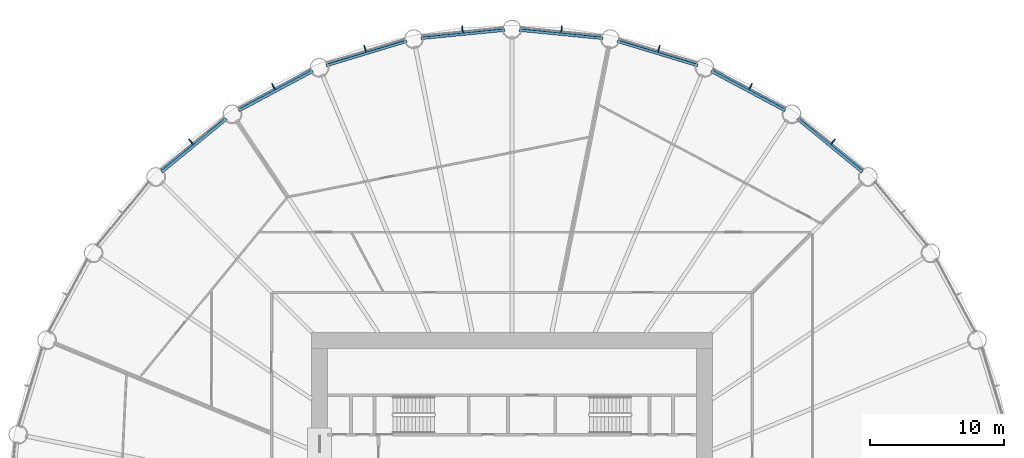
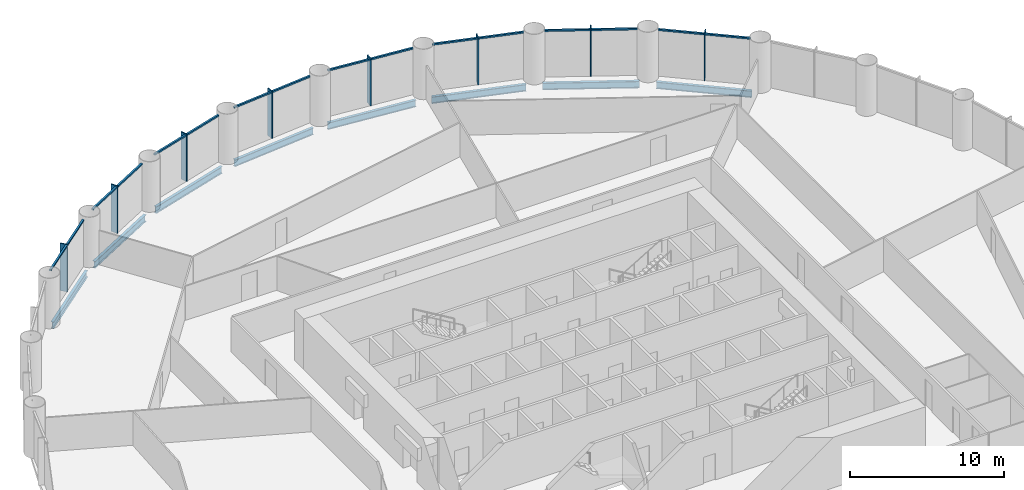
# One storey, part 7 of 15: 24 members, 8 beams, 8 elements without a shape of their own.
"""IFC4 building model written with IfcOpenShell, lengths in metres."""

from ifc_helpers import new_model, si_unit, direction, frame, origin, origin_2d, place, context, subcontext, project, spatial, rectangle, i_section, extrude, material, material_profile, profile_set, type_object, element, aggregate, save


model = new_model("IFC4")

# Units and contexts
model_context = context("Model", 3, precision=1e-05, world=origin(), true_north=direction((0.0, 1.0)))
body_context = subcontext(model_context, "Body", "Model", "MODEL_VIEW")
ifc_project = project(units=[si_unit("LENGTHUNIT", "METRE"), si_unit("AREAUNIT", "SQUARE_METRE"), si_unit("VOLUMEUNIT", "CUBIC_METRE"), si_unit("PLANEANGLEUNIT", "RADIAN"), si_unit("MASSUNIT", "GRAM", prefix="KILO")], contexts=[model_context])

# Site, building, storey
site_placement = place(None, origin())
site = spatial("IfcSite", under=ifc_project, at=site_placement, CompositionType="ELEMENT")
building_placement = place(site_placement, origin())
building = spatial("IfcBuilding", under=site, at=building_placement, Name="Corvane Civic Tower", CompositionType="ELEMENT")
storey_placement = place(building_placement, frame((0.0, 0.0, 73.0)))
storey = spatial("IfcBuildingStorey", under=building, at=storey_placement, Name="L16", CompositionType="ELEMENT", Elevation=73.0)

# Beams
ifc_material_1 = material(Name="Steel ASTM A992 Gr 50", Category="steel")
ifc_material_profile_1 = material_profile(ifc_material_1, i_section(OverallWidth=0.209228515625, OverallDepth=0.533447265625, WebThickness=0.01025390625, FlangeThickness=0.015625, at=origin_2d()), Name="W21X62")
ifc_profile_set_1 = profile_set([ifc_material_profile_1], Name="Steel ASTM A992 Gr 50")
beam_type = type_object("IfcBeamType", Name="EDGE BEAM W21X62", PredefinedType="BEAM", material=ifc_profile_set_1)
beam_1_placement = place(storey_placement, frame((0.54736328125, 37.64599609375, -0.566650390625), z_axis=(0.995186682089, -0.097997284622, 0.0), x_axis=(0.097997284622, 0.995186682089, 0.0)))
element("IfcBeam", 1, at=beam_1_placement, inside=storey, type_object=beam_type, Name="BM-L16-E01", PredefinedType="BEAM", context=body_context, shape_type="SweptSolid", body=[
    extrude(i_section(OverallWidth=0.209228515625, OverallDepth=0.533447265625, WebThickness=0.01025390625, FlangeThickness=0.015625, at=origin_2d()), origin(), (0.0, 0.0, 1.0), 6.29052734375),
])
for number, where, z_axis, x_axis, name in (
    (2, (7.88134765625, 36.81591796875, -0.566650390625), (0.956943740748, -0.290273452184, 0.0), (0.290273452184, 0.956943740748, 0.0), "BM-L16-E02"),
    (3, (14.912353515625, 34.571044921875, -0.566650390625), (0.881916367906, -0.471405897311, 0.0), (0.471405897311, 0.881916367906, 0.0), "BM-L16-E03"),
):
    element("IfcBeam", number, at=place(storey_placement, frame(where, z_axis=z_axis, x_axis=x_axis)), inside=storey, type_object=beam_type, Name=name, PredefinedType="BEAM", context=body_context, shape_type="SweptSolid", body=[
        extrude(i_section(OverallWidth=0.209228515625, OverallDepth=0.533447265625, WebThickness=0.01025390625, FlangeThickness=0.015625, at=origin_2d()), origin(), (0.0, 0.0, 1.0), 6.290283203125),
    ])
for number, where, z_axis, x_axis, name in (
    (4, (21.3701171875, 30.99755859375, -0.566650390625), (0.773015785286, -0.634386787141, 0.0), (0.634386787141, 0.773015785286, 0.0), "BM-L16-E04"),
    (5, (-26.23291015625, 27.0068359375, -0.566650390625), (0.773015785286, 0.634386787141, 0.0), (-0.634386787141, 0.773015785286, 0.0), "BM-L16-E29"),
):
    element("IfcBeam", number, at=place(storey_placement, frame(where, z_axis=z_axis, x_axis=x_axis)), inside=storey, type_object=beam_type, Name=name, PredefinedType="BEAM", context=body_context, shape_type="SweptSolid", body=[
        extrude(i_section(OverallWidth=0.209228515625, OverallDepth=0.533447265625, WebThickness=0.01025390625, FlangeThickness=0.015625, at=origin_2d()), origin(), (0.0, 0.0, 1.0), 6.290771484375),
    ])
for number, where, z_axis, x_axis, name in (
    (6, (-20.4599609375, 31.605712890625, -0.566650390625), (0.881916367906, 0.471405897311, 0.0), (-0.471405897311, 0.881916367906, 0.0), "BM-L16-E30"),
    (7, (-13.90087890625, 34.989990234375, -0.566650390625), (0.956943740748, 0.290273452184, 0.0), (-0.290273452184, 0.956943740748, 0.0), "BM-L16-E31"),
):
    element("IfcBeam", number, at=place(storey_placement, frame(where, z_axis=z_axis, x_axis=x_axis)), inside=storey, type_object=beam_type, Name=name, PredefinedType="BEAM", context=body_context, shape_type="SweptSolid", body=[
        extrude(i_section(OverallWidth=0.209228515625, OverallDepth=0.533447265625, WebThickness=0.01025390625, FlangeThickness=0.015625, at=origin_2d()), origin(), (0.0, 0.0, 1.0), 6.290283203125),
    ])
beam_2_placement = place(storey_placement, frame((-6.8076171875, 37.029541015625, -0.566650390625), z_axis=(0.995186682089, 0.097997284622, 0.0), x_axis=(-0.097997284622, 0.995186682089, 0.0)))
element("IfcBeam", 8, at=beam_2_placement, inside=storey, type_object=beam_type, Name="BM-L16-E32", PredefinedType="BEAM", context=body_context, shape_type="SweptSolid", body=[
    extrude(i_section(OverallWidth=0.209228515625, OverallDepth=0.533447265625, WebThickness=0.01025390625, FlangeThickness=0.015625, at=origin_2d()), origin(), (0.0, 0.0, 1.0), 6.29052734375),
])

# Curtain wall, members
ifc_material_2 = material(Name="Anodised aluminium bronze", Category="aluminium")
curtain_wall_type = type_object("IfcCurtainWallType", Name="TOWER CW-T1 STICK CURTAIN WALL", PredefinedType="NOTDEFINED", material=ifc_material_2)
curtain_wall_1_placement = place(storey_placement, origin())
curtain_wall_1 = element("IfcCurtainWall", 9, at=curtain_wall_1_placement, inside=storey, type_object=curtain_wall_type, Name="Curtain wall CW-T1 L16 bay 01", PredefinedType="NOTDEFINED")
ifc_material_3 = material(Name="Anodised aluminium bronze", Category="aluminium")
ifc_material_profile_2 = material_profile(ifc_material_3, rectangle(XDim=0.139892578125, YDim=0.1201171875, at=origin_2d()), Name="TOWER CW-T1 TRANSOM 140x120")
ifc_profile_set_2 = profile_set([ifc_material_profile_2], Name="Anodised aluminium bronze")
member_type_1 = type_object("IfcMemberType", Name="TOWER CW-T1 TRANSOM 140x120", PredefinedType="USERDEFINED", material=ifc_profile_set_2)
member_1_placement = place(storey_placement, frame((0.6611328125, 37.814697265625, 3.68994140625), z_axis=(0.995191836722, -0.097944923917, 0.0), x_axis=(0.097944923917, 0.995191836722, 0.0)))
member_1 = element("IfcMember", 10, at=member_1_placement, type_object=member_type_1, Name="Transom CW-T1 L16 01.1", ObjectType="TRANSOM", PredefinedType="USERDEFINED", context=body_context, shape_type="SweptSolid", body=[
    extrude(rectangle(XDim=0.139892578125, YDim=0.1201171875, at=origin_2d()), origin(), (0.0, 0.0, 1.0), 3.008544921875),
])
member_2_placement = place(storey_placement, frame((3.73486328125, 37.511962890625, 3.68994140625), z_axis=(0.995191836722, -0.097944923917, 0.0), x_axis=(0.097944923917, 0.995191836722, 0.0)))
member_2 = element("IfcMember", 11, at=member_2_placement, type_object=member_type_1, Name="Transom CW-T1 L16 01.2", ObjectType="TRANSOM", PredefinedType="USERDEFINED", context=body_context, shape_type="SweptSolid", body=[
    extrude(rectangle(XDim=0.139892578125, YDim=0.1201171875, at=origin_2d()), origin(), (0.0, 0.0, 1.0), 3.008544921875),
])

curtain_wall_2_placement = place(storey_placement, origin())
curtain_wall_2 = element("IfcCurtainWall", 12, at=curtain_wall_2_placement, inside=storey, type_object=curtain_wall_type, Name="Curtain wall CW-T1 L16 bay 02", PredefinedType="NOTDEFINED")
member_3_placement = place(storey_placement, frame((8.02587890625, 36.959228515625, 3.68994140625), z_axis=(0.956941780555, -0.290279914268, 0.0), x_axis=(0.290279914268, 0.956941780555, 0.0)))
member_3 = element("IfcMember", 13, at=member_3_placement, type_object=member_type_1, Name="Transom CW-T1 L16 02.1", ObjectType="TRANSOM", PredefinedType="USERDEFINED", context=body_context, shape_type="SweptSolid", body=[
    extrude(rectangle(XDim=0.139892578125, YDim=0.1201171875, at=origin_2d()), origin(), (0.0, 0.0, 1.0), 3.008544921875),
])
member_4_placement = place(storey_placement, frame((10.9814453125, 36.062744140625, 3.68994140625), z_axis=(0.956941780555, -0.290279914268, 0.0), x_axis=(0.290279914268, 0.956941780555, 0.0)))
member_4 = element("IfcMember", 14, at=member_4_placement, type_object=member_type_1, Name="Transom CW-T1 L16 02.2", ObjectType="TRANSOM", PredefinedType="USERDEFINED", context=body_context, shape_type="SweptSolid", body=[
    extrude(rectangle(XDim=0.139892578125, YDim=0.1201171875, at=origin_2d()), origin(), (0.0, 0.0, 1.0), 3.008544921875),
])

curtain_wall_3_placement = place(storey_placement, origin())
curtain_wall_3 = element("IfcCurtainWall", 15, at=curtain_wall_3_placement, inside=storey, type_object=curtain_wall_type, Name="Curtain wall CW-T1 L16 bay 03", PredefinedType="NOTDEFINED")
member_5_placement = place(storey_placement, frame((15.08203125, 34.683349609375, 3.68994140625), z_axis=(0.881923525532, -0.471392506424, 0.0), x_axis=(0.471392506424, 0.881923525532, 0.0)))
member_5 = element("IfcMember", 16, at=member_5_placement, type_object=member_type_1, Name="Transom CW-T1 L16 03.1", ObjectType="TRANSOM", PredefinedType="USERDEFINED", context=body_context, shape_type="SweptSolid", body=[
    extrude(rectangle(XDim=0.139892578125, YDim=0.1201171875, at=origin_2d()), origin(), (0.0, 0.0, 1.0), 3.008544921875),
])
member_6_placement = place(storey_placement, frame((17.805908203125, 33.2275390625, 3.68994140625), z_axis=(0.881923525532, -0.471392506424, 0.0), x_axis=(0.471392506424, 0.881923525532, 0.0)))
member_6 = element("IfcMember", 17, at=member_6_placement, type_object=member_type_1, Name="Transom CW-T1 L16 03.2", ObjectType="TRANSOM", PredefinedType="USERDEFINED", context=body_context, shape_type="SweptSolid", body=[
    extrude(rectangle(XDim=0.139892578125, YDim=0.1201171875, at=origin_2d()), origin(), (0.0, 0.0, 1.0), 3.008544921875),
])

curtain_wall_4_placement = place(storey_placement, origin())
curtain_wall_4 = element("IfcCurtainWall", 18, at=curtain_wall_4_placement, inside=storey, type_object=curtain_wall_type, Name="Curtain wall CW-T1 L16 bay 04", PredefinedType="NOTDEFINED")
member_7_placement = place(storey_placement, frame((21.55859375, 31.074462890625, 3.68994140625), z_axis=(0.773041738279, -0.634355161466, 0.0), x_axis=(0.634355161466, 0.773041738279, 0.0)))
member_7 = element("IfcMember", 19, at=member_7_placement, type_object=member_type_1, Name="Transom CW-T1 L16 04.1", ObjectType="TRANSOM", PredefinedType="USERDEFINED", context=body_context, shape_type="SweptSolid", body=[
    extrude(rectangle(XDim=0.139892578125, YDim=0.1201171875, at=origin_2d()), origin(), (0.0, 0.0, 1.0), 3.008544921875),
])
member_8_placement = place(storey_placement, frame((23.946044921875, 29.115234375, 3.68994140625), z_axis=(0.773001943873, -0.634403652865, 0.0), x_axis=(0.634403652865, 0.773001943873, 0.0)))
member_8 = element("IfcMember", 20, at=member_8_placement, type_object=member_type_1, Name="Transom CW-T1 L16 04.2", ObjectType="TRANSOM", PredefinedType="USERDEFINED", context=body_context, shape_type="SweptSolid", body=[
    extrude(rectangle(XDim=0.139892578125, YDim=0.1201171875, at=origin_2d()), origin(), (0.0, 0.0, 1.0), 3.008544921875),
])

curtain_wall_5_placement = place(storey_placement, origin())
curtain_wall_5 = element("IfcCurtainWall", 21, at=curtain_wall_5_placement, inside=storey, type_object=curtain_wall_type, Name="Curtain wall CW-T1 L16 bay 29", PredefinedType="NOTDEFINED")
member_9_placement = place(storey_placement, frame((-26.271728515625, 27.20654296875, 3.68994140625), z_axis=(0.773001943873, 0.634403652865, 0.0), x_axis=(-0.634403652865, 0.773001943873, 0.0)))
member_9 = element("IfcMember", 22, at=member_9_placement, type_object=member_type_1, Name="Transom CW-T1 L16 29.1", ObjectType="TRANSOM", PredefinedType="USERDEFINED", context=body_context, shape_type="SweptSolid", body=[
    extrude(rectangle(XDim=0.139892578125, YDim=0.1201171875, at=origin_2d()), origin(), (0.0, 0.0, 1.0), 3.008544921875),
])
member_10_placement = place(storey_placement, frame((-23.88427734375, 29.166015625, 3.68994140625), z_axis=(0.773041738279, 0.634355161466, 0.0), x_axis=(-0.634355161466, 0.773041738279, 0.0)))
member_10 = element("IfcMember", 23, at=member_10_placement, type_object=member_type_1, Name="Transom CW-T1 L16 29.2", ObjectType="TRANSOM", PredefinedType="USERDEFINED", context=body_context, shape_type="SweptSolid", body=[
    extrude(rectangle(XDim=0.139892578125, YDim=0.1201171875, at=origin_2d()), origin(), (0.0, 0.0, 1.0), 3.008544921875),
])

curtain_wall_6_placement = place(storey_placement, origin())
curtain_wall_6 = element("IfcCurtainWall", 24, at=curtain_wall_6_placement, inside=storey, type_object=curtain_wall_type, Name="Curtain wall CW-T1 L16 bay 30", PredefinedType="NOTDEFINED")
member_11_placement = place(storey_placement, frame((-20.459228515625, 31.809326171875, 3.68994140625), z_axis=(0.881923525532, 0.471392506424, 0.0), x_axis=(-0.471392506424, 0.881923525532, 0.0)))
member_11 = element("IfcMember", 25, at=member_11_placement, type_object=member_type_1, Name="Transom CW-T1 L16 30.1", ObjectType="TRANSOM", PredefinedType="USERDEFINED", context=body_context, shape_type="SweptSolid", body=[
    extrude(rectangle(XDim=0.139892578125, YDim=0.1201171875, at=origin_2d()), origin(), (0.0, 0.0, 1.0), 3.008544921875),
])
member_12_placement = place(storey_placement, frame((-17.7353515625, 33.26513671875, 3.68994140625), z_axis=(0.881923525532, 0.471392506424, 0.0), x_axis=(-0.471392506424, 0.881923525532, 0.0)))
member_12 = element("IfcMember", 26, at=member_12_placement, type_object=member_type_1, Name="Transom CW-T1 L16 30.2", ObjectType="TRANSOM", PredefinedType="USERDEFINED", context=body_context, shape_type="SweptSolid", body=[
    extrude(rectangle(XDim=0.139892578125, YDim=0.1201171875, at=origin_2d()), origin(), (0.0, 0.0, 1.0), 3.008544921875),
])

curtain_wall_7_placement = place(storey_placement, origin())
curtain_wall_7 = element("IfcCurtainWall", 27, at=curtain_wall_7_placement, inside=storey, type_object=curtain_wall_type, Name="Curtain wall CW-T1 L16 bay 31", PredefinedType="NOTDEFINED")
member_13_placement = place(storey_placement, frame((-13.8603515625, 35.189453125, 3.68994140625), z_axis=(0.956941780555, 0.290279914268, 0.0), x_axis=(-0.290279914268, 0.956941780555, 0.0)))
member_13 = element("IfcMember", 28, at=member_13_placement, type_object=member_type_1, Name="Transom CW-T1 L16 31.1", ObjectType="TRANSOM", PredefinedType="USERDEFINED", context=body_context, shape_type="SweptSolid", body=[
    extrude(rectangle(XDim=0.139892578125, YDim=0.1201171875, at=origin_2d()), origin(), (0.0, 0.0, 1.0), 3.008544921875),
])
member_14_placement = place(storey_placement, frame((-10.90478515625, 36.0859375, 3.68994140625), z_axis=(0.956941780555, 0.290279914268, 0.0), x_axis=(-0.290279914268, 0.956941780555, 0.0)))
member_14 = element("IfcMember", 29, at=member_14_placement, type_object=member_type_1, Name="Transom CW-T1 L16 31.2", ObjectType="TRANSOM", PredefinedType="USERDEFINED", context=body_context, shape_type="SweptSolid", body=[
    extrude(rectangle(XDim=0.139892578125, YDim=0.1201171875, at=origin_2d()), origin(), (0.0, 0.0, 1.0), 3.008544921875),
])

curtain_wall_8_placement = place(storey_placement, origin())
curtain_wall_8 = element("IfcCurtainWall", 30, at=curtain_wall_8_placement, inside=storey, type_object=curtain_wall_type, Name="Curtain wall CW-T1 L16 bay 32", PredefinedType="NOTDEFINED")
member_15_placement = place(storey_placement, frame((-6.72900390625, 37.21728515625, 3.68994140625), z_axis=(0.995191836722, 0.097944923917, 0.0), x_axis=(-0.097944923917, 0.995191836722, 0.0)))
member_15 = element("IfcMember", 31, at=member_15_placement, type_object=member_type_1, Name="Transom CW-T1 L16 32.1", ObjectType="TRANSOM", PredefinedType="USERDEFINED", context=body_context, shape_type="SweptSolid", body=[
    extrude(rectangle(XDim=0.139892578125, YDim=0.1201171875, at=origin_2d()), origin(), (0.0, 0.0, 1.0), 3.008544921875),
])
member_16_placement = place(storey_placement, frame((-3.6552734375, 37.52001953125, 3.68994140625), z_axis=(0.995191836722, 0.097944923917, 0.0), x_axis=(-0.097944923917, 0.995191836722, 0.0)))
member_16 = element("IfcMember", 32, at=member_16_placement, type_object=member_type_1, Name="Transom CW-T1 L16 32.2", ObjectType="TRANSOM", PredefinedType="USERDEFINED", context=body_context, shape_type="SweptSolid", body=[
    extrude(rectangle(XDim=0.139892578125, YDim=0.1201171875, at=origin_2d()), origin(), (0.0, 0.0, 1.0), 3.008544921875),
])

# Member
ifc_material_4 = material(Name="Anodised aluminium bronze", Category="aluminium")
ifc_material_profile_3 = material_profile(ifc_material_4, rectangle(XDim=0.080078125, YDim=0.5, at=origin_2d()), Name="TOWER FIN MULLION 80x500 BRONZE")
ifc_profile_set_3 = profile_set([ifc_material_profile_3], Name="Anodised aluminium bronze")
member_type_2 = type_object("IfcMemberType", Name="TOWER FIN MULLION 80x500 BRONZE", PredefinedType="MULLION", material=ifc_profile_set_3)
member_17_placement = place(storey_placement, frame((3.714599609375, 37.715087890625, 0.0), z_axis=(0.0, 0.0, 1.0), x_axis=(0.995185800248, -0.098006239521, 0.0)))
member_17 = element("IfcMember", 33, at=member_17_placement, type_object=member_type_2, Name="Fin mullion 01 L16", PredefinedType="MULLION", context=body_context, shape_type="SweptSolid", body=[
    extrude(rectangle(XDim=0.080078125, YDim=0.5, at=origin_2d()), origin(), (0.0, 0.0, 1.0), 3.75),
])

aggregate(curtain_wall_1, [member_17, member_1, member_2])

member_18_placement = place(storey_placement, frame((11.001220703125, 36.265625, 0.0), z_axis=(0.0, 0.0, 1.0), x_axis=(0.956942240606, -0.290278397654, 0.0)))
member_18 = element("IfcMember", 34, at=member_18_placement, type_object=member_type_2, Name="Fin mullion 02 L16", PredefinedType="MULLION", context=body_context, shape_type="SweptSolid", body=[
    extrude(rectangle(XDim=0.080078125, YDim=0.5, at=origin_2d()), origin(), (0.0, 0.0, 1.0), 3.75),
])

aggregate(curtain_wall_2, [member_18, member_3, member_4])

member_19_placement = place(storey_placement, frame((17.86474609375, 33.422607421875, 0.0), z_axis=(0.0, 0.0, 1.0), x_axis=(0.881917528864, -0.471403725359, 0.0)))
member_19 = element("IfcMember", 35, at=member_19_placement, type_object=member_type_2, Name="Fin mullion 03 L16", PredefinedType="MULLION", context=body_context, shape_type="SweptSolid", body=[
    extrude(rectangle(XDim=0.080078125, YDim=0.5, at=origin_2d()), origin(), (0.0, 0.0, 1.0), 3.75),
])

aggregate(curtain_wall_3, [member_19, member_5, member_6])

member_20_placement = place(storey_placement, frame((24.0419921875, 29.295166015625, 0.0), z_axis=(0.0, 0.0, 1.0), x_axis=(0.773007224463, -0.634397218569, 0.0)))
member_20 = element("IfcMember", 36, at=member_20_placement, type_object=member_type_2, Name="Fin mullion 04 L16", PredefinedType="MULLION", context=body_context, shape_type="SweptSolid", body=[
    extrude(rectangle(XDim=0.080078125, YDim=0.5, at=origin_2d()), origin(), (0.0, 0.0, 1.0), 3.75),
])

aggregate(curtain_wall_4, [member_20, member_7, member_8])

member_21_placement = place(storey_placement, frame((-24.0419921875, 29.295166015625, 0.0), z_axis=(0.0, 0.0, 1.0), x_axis=(0.773007224463, 0.634397218569, 0.0)))
member_21 = element("IfcMember", 37, at=member_21_placement, type_object=member_type_2, Name="Fin mullion 29 L16", PredefinedType="MULLION", context=body_context, shape_type="SweptSolid", body=[
    extrude(rectangle(XDim=0.080078125, YDim=0.5, at=origin_2d()), origin(), (0.0, 0.0, 1.0), 3.75),
])

aggregate(curtain_wall_5, [member_21, member_9, member_10])

member_22_placement = place(storey_placement, frame((-17.86474609375, 33.422607421875, 0.0), z_axis=(0.0, 0.0, 1.0), x_axis=(0.881917528864, 0.471403725359, 0.0)))
member_22 = element("IfcMember", 38, at=member_22_placement, type_object=member_type_2, Name="Fin mullion 30 L16", PredefinedType="MULLION", context=body_context, shape_type="SweptSolid", body=[
    extrude(rectangle(XDim=0.080078125, YDim=0.5, at=origin_2d()), origin(), (0.0, 0.0, 1.0), 3.75),
])

aggregate(curtain_wall_6, [member_22, member_11, member_12])

member_23_placement = place(storey_placement, frame((-11.001220703125, 36.265625, 0.0), z_axis=(0.0, 0.0, 1.0), x_axis=(0.956942240606, 0.290278397654, 0.0)))
member_23 = element("IfcMember", 39, at=member_23_placement, type_object=member_type_2, Name="Fin mullion 31 L16", PredefinedType="MULLION", context=body_context, shape_type="SweptSolid", body=[
    extrude(rectangle(XDim=0.080078125, YDim=0.5, at=origin_2d()), origin(), (0.0, 0.0, 1.0), 3.75),
])

aggregate(curtain_wall_7, [member_23, member_13, member_14])

member_24_placement = place(storey_placement, frame((-3.714599609375, 37.715087890625, 0.0), z_axis=(0.0, 0.0, 1.0), x_axis=(0.995185800248, 0.098006239521, 0.0)))
member_24 = element("IfcMember", 40, at=member_24_placement, type_object=member_type_2, Name="Fin mullion 32 L16", PredefinedType="MULLION", context=body_context, shape_type="SweptSolid", body=[
    extrude(rectangle(XDim=0.080078125, YDim=0.5, at=origin_2d()), origin(), (0.0, 0.0, 1.0), 3.75),
])

aggregate(curtain_wall_8, [member_24, member_15, member_16])

save(model, "model.ifc")
